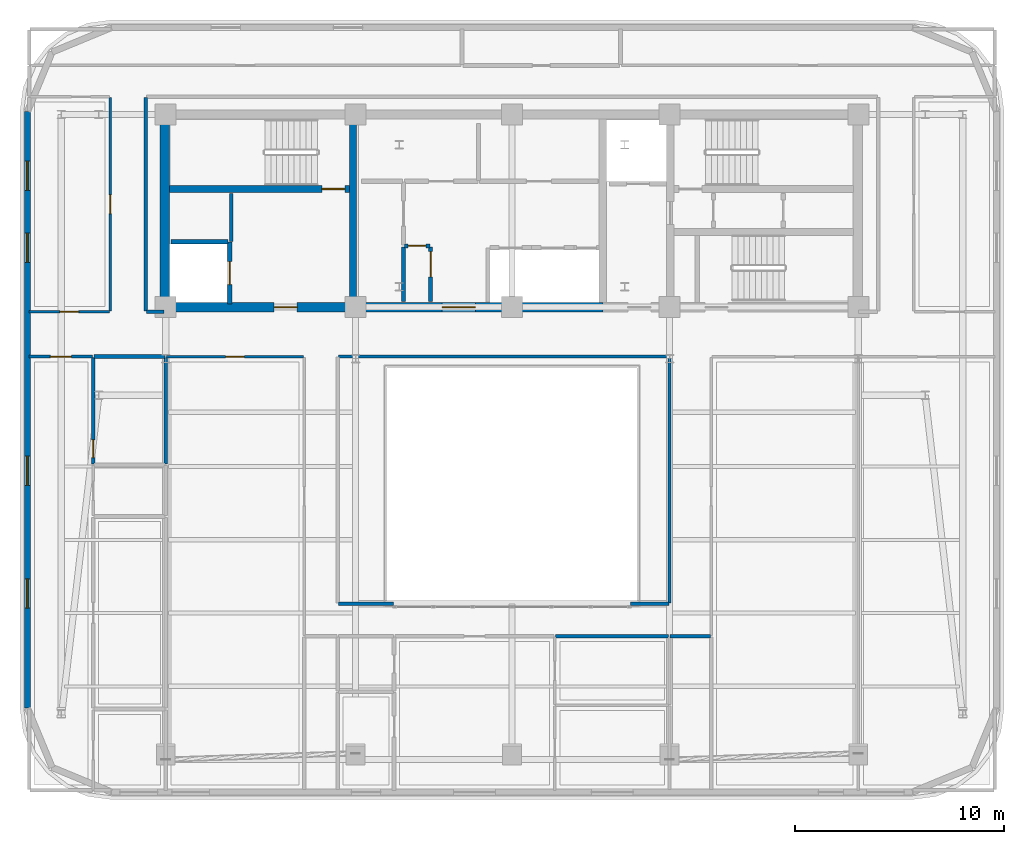
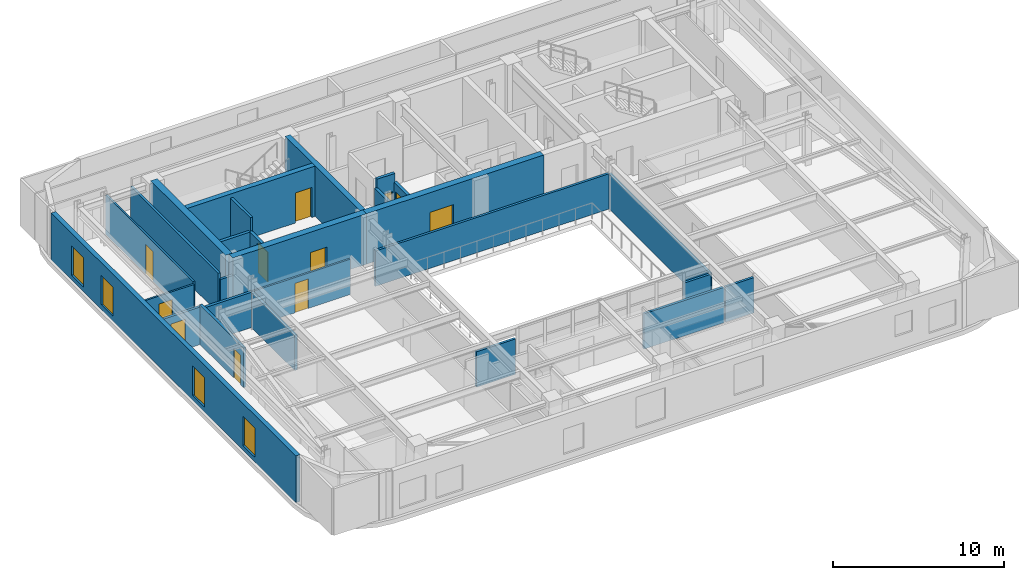
# One storey, part 7 of 14: 27 walls, 11 doors, 4 windows, 15 openings.
"""IFC4 building model written with IfcOpenShell, lengths in metres."""

from ifc_helpers import new_model, si_unit, direction, frame, frame_2d, origin, place, context, subcontext, project, spatial, rectangle, extrude, material, layer, layer_set, type_object, element, fill, save


model = new_model("IFC4")

# Units and contexts
model_context = context("Model", 3, precision=1e-05, world=origin(), true_north=direction((0.0, 1.0)))
body_context = subcontext(model_context, "Body", "Model", "MODEL_VIEW")
ifc_project = project(units=[si_unit("LENGTHUNIT", "METRE"), si_unit("AREAUNIT", "SQUARE_METRE"), si_unit("VOLUMEUNIT", "CUBIC_METRE"), si_unit("PLANEANGLEUNIT", "RADIAN"), si_unit("MASSUNIT", "GRAM", prefix="KILO")], contexts=[model_context])

# Site, building, storey
site_placement = place(None, origin())
site = spatial("IfcSite", under=ifc_project, at=site_placement, CompositionType="ELEMENT")
building_placement = place(site_placement, origin())
building = spatial("IfcBuilding", under=site, at=building_placement, Name="Zarnavel Station Tower", CompositionType="ELEMENT")
storey_placement = place(building_placement, frame((0.0, 0.0, 218.39990234375)))
storey = spatial("IfcBuildingStorey", under=building, at=storey_placement, Name="L59", CompositionType="ELEMENT", Elevation=218.39990234375)

# Wall
ifc_material_1 = material(Name="Concrete C50/60", Category="concrete")
ifc_layer_1 = layer(ifc_material_1, 0.35009765625)
ifc_layer_set_1 = layer_set([ifc_layer_1], Name="CW_350")
wall_type_1 = type_object("IfcWallType", Name="CW_350", PredefinedType="SHEAR", material=ifc_layer_set_1)
wall_1_placement = place(storey_placement, frame((21.179931640625, 28.044921875, 0.0), z_axis=(0.0, 0.0, 1.0), x_axis=(0.0, 1.0, 0.0)))
element("IfcWall", 1, at=wall_1_placement, inside=storey, type_object=wall_type_1, Name="L59 Rear Core Shear Wall DIV-W", PredefinedType="SHEAR", context=body_context, shape_type="SweptSolid", body=[
    extrude(rectangle(XDim=8.780029296875, YDim=0.35009765625, at=frame_2d((4.39013671875, 0.0))), origin(), (0.0, 0.0, 1.0), 3.60009765625),
])

# Wall, opening, door
wall_2_placement = place(storey_placement, frame((21.0048828125, 33.47998046875, 0.0), z_axis=(0.0, 0.0, 1.0), x_axis=(-1.0, 0.0, 0.0)))
wall_2 = element("IfcWall", 2, at=wall_2_placement, inside=storey, type_object=wall_type_1, Name="L59 Rear Core Shear Wall DIV-H1", PredefinedType="SHEAR", context=body_context, shape_type="SweptSolid", body=[
    extrude(rectangle(XDim=8.6298828125, YDim=0.35009765625, at=frame_2d((4.31494140625, 0.0))), origin(), (0.0, 0.0, 1.0), 3.60009765625),
])
opening_1_placement = place(wall_2_placement, frame((0.219970703125, 0.0, 0.0)))
opening_1 = element("IfcOpeningElement", 3, at=opening_1_placement, cuts=wall_2, Name="Opening FD01", PredefinedType="OPENING", context=body_context, shape_type="SweptSolid", body=[
    extrude(rectangle(XDim=1.10009765625, YDim=2.14990234375, at=frame_2d((0.550048828125, 1.074951171875))), frame((0.0, 0.18505859375, 0.0), z_axis=(0.0, -1.0, 0.0), x_axis=(1.0, 0.0, 0.0)), (0.0, 0.0, 1.0), 0.3701171875),
])
ifc_material_2 = material(Name="Painted Galvanised Steel and Hardwood Leaf", Category="steel")
door_type_1 = type_object("IfcDoorType", Name="ID_STAIR_1100", OperationType="NOTDEFINED", PredefinedType="DOOR", material=ifc_material_2)
door_1_placement = place(opening_1_placement, origin())
door_1 = element("IfcDoor", 4, at=door_1_placement, inside=storey, type_object=door_type_1, Name="L59 Stair ST1 Lobby Fire Door", OperationType="SINGLE_SWING_LEFT", OverallHeight=2.14990234375, OverallWidth=1.10009765625, PredefinedType="DOOR", context=body_context, shape_type="SweptSolid", body=[
    extrude(rectangle(XDim=1.10009765625, YDim=2.14990234375, at=frame_2d((0.550048828125, 1.074951171875))), frame((0.0, 0.02490234375, 0.0), z_axis=(0.0, -1.0, 0.0), x_axis=(1.0, 0.0, 0.0)), (0.0, 0.0, 1.0), 0.050048828125),
])
fill(opening_1, door_1)

ifc_material_3 = material(Name="Concrete C50/60", Category="concrete")
ifc_layer_2 = layer(ifc_material_3, 0.449951171875)
ifc_layer_set_2 = layer_set([ifc_layer_2], Name="CW_450")
wall_type_2 = type_object("IfcWallType", Name="CW_450", PredefinedType="SHEAR", material=ifc_layer_set_2)
wall_3_placement = place(storey_placement, frame((21.179931640625, 27.820068359375, 0.0), z_axis=(0.0, 0.0, 1.0), x_axis=(-1.0, 0.0, 0.0)))
wall_3 = element("IfcWall", 5, at=wall_3_placement, inside=storey, type_object=wall_type_2, Name="L59 Rear Core Shear Wall S-W", PredefinedType="SHEAR", context=body_context, shape_type="SweptSolid", body=[
    extrude(rectangle(XDim=9.030029296875, YDim=0.449951171875, at=frame_2d((4.51513671875, 0.0))), origin(), (0.0, 0.0, 1.0), 3.60009765625),
])
opening_2_placement = place(wall_3_placement, frame((2.679931640625, 0.0, 0.0)))
opening_2 = element("IfcOpeningElement", 6, at=opening_2_placement, cuts=wall_3, Name="Opening FD01", PredefinedType="OPENING", context=body_context, shape_type="SweptSolid", body=[
    extrude(rectangle(XDim=1.10009765625, YDim=2.14990234375, at=frame_2d((0.550048828125, 1.074951171875))), frame((0.0, 0.23486328125, 0.0), z_axis=(0.0, -1.0, 0.0), x_axis=(1.0, 0.0, 0.0)), (0.0, 0.0, 1.0), 0.469970703125),
])
door_2_placement = place(opening_2_placement, origin())
door_2 = element("IfcDoor", 7, at=door_2_placement, inside=storey, type_object=door_type_1, Name="L59 West Firefighting Lobby Door", OperationType="SINGLE_SWING_RIGHT", OverallHeight=2.14990234375, OverallWidth=1.10009765625, PredefinedType="DOOR", context=body_context, shape_type="SweptSolid", body=[
    extrude(rectangle(XDim=1.10009765625, YDim=2.14990234375, at=frame_2d((0.550048828125, 1.074951171875))), frame((0.0, 0.02490234375, 0.0), z_axis=(0.0, -1.0, 0.0), x_axis=(1.0, 0.0, 0.0)), (0.0, 0.0, 1.0), 0.050048828125),
])
fill(opening_2, door_2)

wall_4_placement = place(storey_placement, frame((33.14990234375, 27.820068359375, 0.0), z_axis=(0.0, 0.0, 1.0), x_axis=(-1.0, 0.0, 0.0)))
wall_4 = element("IfcWall", 8, at=wall_4_placement, inside=storey, type_object=wall_type_2, Name="L59 Rear Core Shear Wall S-M", PredefinedType="SHEAR", context=body_context, shape_type="SweptSolid", body=[
    extrude(rectangle(XDim=11.969970703125, YDim=0.449951171875, at=frame_2d((5.98486328125, 0.0))), origin(), (0.0, 0.0, 1.0), 3.60009765625),
])
opening_3_placement = place(wall_4_placement, frame((6.10009765625, 0.0, 0.0)))
opening_3 = element("IfcOpeningElement", 9, at=opening_3_placement, cuts=wall_4, Name="Opening ID03", PredefinedType="OPENING", context=body_context, shape_type="SweptSolid", body=[
    extrude(rectangle(XDim=1.60009765625, YDim=2.199951171875, at=frame_2d((0.800048828125, 1.10009765625))), frame((0.0, 0.23486328125, 0.0), z_axis=(0.0, -1.0, 0.0), x_axis=(1.0, 0.0, 0.0)), (0.0, 0.0, 1.0), 0.469970703125),
])
ifc_material_4 = material(Name="Painted Galvanised Steel and Hardwood Leaf", Category="steel")
door_type_2 = type_object("IfcDoorType", Name="ID_PUBLIC_1600", OperationType="DOUBLE_DOOR_SINGLE_SWING", PredefinedType="DOOR", material=ifc_material_4)
door_3_placement = place(opening_3_placement, origin())
door_3 = element("IfcDoor", 10, at=door_3_placement, inside=storey, type_object=door_type_2, Name="L59 Passenger Lift Lobby Double Door", OperationType="SINGLE_SWING_LEFT", OverallHeight=2.199951171875, OverallWidth=1.60009765625, PredefinedType="DOOR", context=body_context, shape_type="SweptSolid", body=[
    extrude(rectangle(XDim=1.60009765625, YDim=2.199951171875, at=frame_2d((0.800048828125, 1.10009765625))), frame((0.0, 0.02490234375, 0.0), z_axis=(0.0, -1.0, 0.0), x_axis=(1.0, 0.0, 0.0)), (0.0, 0.0, 1.0), 0.050048828125),
])
fill(opening_3, door_3)

# Wall
wall_5_placement = place(storey_placement, frame((12.14990234375, 28.044921875, 0.0), z_axis=(0.0, 0.0, 1.0), x_axis=(0.0, 1.0, 0.0)))
element("IfcWall", 11, at=wall_5_placement, inside=storey, type_object=wall_type_2, Name="L59 Rear Core Shear Wall W", PredefinedType="SHEAR", context=body_context, shape_type="SweptSolid", body=[
    extrude(rectangle(XDim=8.780029296875, YDim=0.449951171875, at=frame_2d((4.39013671875, 0.0))), origin(), (0.0, 0.0, 1.0), 3.60009765625),
])

# Wall, openings, windows
ifc_material_5 = material(Name="Precast concrete C45/55 (Dark Basalt Finish)", Category="masonry")
ifc_layer_3 = layer(ifc_material_5, 0.300048828125)
ifc_layer_set_3 = layer_set([ifc_layer_3], Name="EW_BASALT_300")
wall_type_3 = type_object("IfcWallType", Name="EW_BASALT_300", PredefinedType="SOLIDWALL", material=ifc_layer_set_3)
wall_6_placement = place(storey_placement, frame((5.580078125, 8.60009765625, 0.0), z_axis=(0.0, 0.0, 1.0), x_axis=(0.0, 1.0, 0.0)))
wall_6 = element("IfcWall", 12, at=wall_6_placement, inside=storey, type_object=wall_type_3, Name="L59 Exterior Basalt Masonry Frame Wall 09", PredefinedType="SOLIDWALL", context=body_context, shape_type="SweptSolid", body=[
    extrude(rectangle(XDim=28.599853515625, YDim=0.300048828125, at=frame_2d((14.2998046875, 0.0))), origin(), (0.0, 0.0, 1.0), 3.340087890625),
])
opening_4_placement = place(wall_6_placement, frame((21.360107421875, 0.0, 0.340087890625)))
opening_4 = element("IfcOpeningElement", 13, at=opening_4_placement, cuts=wall_6, Name="Opening WN04", PredefinedType="OPENING", context=body_context, shape_type="SweptSolid", body=[
    extrude(rectangle(XDim=1.39990234375, YDim=2.10009765625, at=frame_2d((0.699951171875, 1.050048828125))), frame((0.0, 0.159912109375, 0.0), z_axis=(0.0, -1.0, 0.0), x_axis=(1.0, 0.0, 0.0)), (0.0, 0.0, 1.0), 0.320068359375),
])
opening_5_placement = place(wall_6_placement, frame((24.820068359375, 0.0, 0.340087890625)))
opening_5 = element("IfcOpeningElement", 14, at=opening_5_placement, cuts=wall_6, Name="Opening WN04", PredefinedType="OPENING", context=body_context, shape_type="SweptSolid", body=[
    extrude(rectangle(XDim=1.39990234375, YDim=2.10009765625, at=frame_2d((0.699951171875, 1.050048828125))), frame((0.0, 0.159912109375, 0.0), z_axis=(0.0, -1.0, 0.0), x_axis=(1.0, 0.0, 0.0)), (0.0, 0.0, 1.0), 0.320068359375),
])
opening_6_placement = place(wall_6_placement, frame((4.796630859375, 0.0, 0.340087890625)))
opening_6 = element("IfcOpeningElement", 15, at=opening_6_placement, cuts=wall_6, Name="Opening WN04", PredefinedType="OPENING", context=body_context, shape_type="SweptSolid", body=[
    extrude(rectangle(XDim=1.39990234375, YDim=2.10009765625, at=frame_2d((0.699951171875, 1.050048828125))), frame((0.0, 0.159912109375, 0.0), z_axis=(0.0, -1.0, 0.0), x_axis=(1.0, 0.0, 0.0)), (0.0, 0.0, 1.0), 0.320068359375),
])
opening_7_placement = place(wall_6_placement, frame((10.67333984375, 0.0, 0.340087890625)))
opening_7 = element("IfcOpeningElement", 16, at=opening_7_placement, cuts=wall_6, Name="Opening WN04", PredefinedType="OPENING", context=body_context, shape_type="SweptSolid", body=[
    extrude(rectangle(XDim=1.39990234375, YDim=2.10009765625, at=frame_2d((0.699951171875, 1.050048828125))), frame((0.0, 0.159912109375, 0.0), z_axis=(0.0, -1.0, 0.0), x_axis=(1.0, 0.0, 0.0)), (0.0, 0.0, 1.0), 0.320068359375),
])
ifc_material_6 = material(Name="Thermally Broken Black Aluminium and Low-E Dark Glass", Category="aluminium")
window_type = type_object("IfcWindowType", Name="WN_1400x2100", PartitioningType="DOUBLE_PANEL_VERTICAL", PredefinedType="WINDOW", material=ifc_material_6)
window_1_placement = place(opening_4_placement, origin())
window_1 = element("IfcWindow", 17, at=window_1_placement, inside=storey, type_object=window_type, Name="L59 Recessed Facade Window 01", OverallHeight=2.10009765625, OverallWidth=1.39990234375, PartitioningType="SINGLE_PANEL", PredefinedType="WINDOW", context=body_context, shape_type="SweptSolid", body=[
    extrude(rectangle(XDim=1.39990234375, YDim=2.10009765625, at=frame_2d((0.699951171875, 1.050048828125))), frame((0.0, 0.030029296875, 0.0), z_axis=(0.0, -1.0, 0.0), x_axis=(1.0, 0.0, 0.0)), (0.0, 0.0, 1.0), 0.06005859375),
])
fill(opening_4, window_1)
window_2_placement = place(opening_5_placement, origin())
window_2 = element("IfcWindow", 18, at=window_2_placement, inside=storey, type_object=window_type, Name="L59 Recessed Facade Window 02", OverallHeight=2.10009765625, OverallWidth=1.39990234375, PartitioningType="SINGLE_PANEL", PredefinedType="WINDOW", context=body_context, shape_type="SweptSolid", body=[
    extrude(rectangle(XDim=1.39990234375, YDim=2.10009765625, at=frame_2d((0.699951171875, 1.050048828125))), frame((0.0, 0.030029296875, 0.0), z_axis=(0.0, -1.0, 0.0), x_axis=(1.0, 0.0, 0.0)), (0.0, 0.0, 1.0), 0.06005859375),
])
fill(opening_5, window_2)
window_3_placement = place(opening_6_placement, origin())
window_3 = element("IfcWindow", 19, at=window_3_placement, inside=storey, type_object=window_type, Name="L59 Recessed Facade Window 03", OverallHeight=2.10009765625, OverallWidth=1.39990234375, PartitioningType="SINGLE_PANEL", PredefinedType="WINDOW", context=body_context, shape_type="SweptSolid", body=[
    extrude(rectangle(XDim=1.39990234375, YDim=2.10009765625, at=frame_2d((0.699951171875, 1.050048828125))), frame((0.0, 0.030029296875, 0.0), z_axis=(0.0, -1.0, 0.0), x_axis=(1.0, 0.0, 0.0)), (0.0, 0.0, 1.0), 0.06005859375),
])
fill(opening_6, window_3)
window_4_placement = place(opening_7_placement, origin())
window_4 = element("IfcWindow", 20, at=window_4_placement, inside=storey, type_object=window_type, Name="L59 Recessed Facade Window 04", OverallHeight=2.10009765625, OverallWidth=1.39990234375, PartitioningType="SINGLE_PANEL", PredefinedType="WINDOW", context=body_context, shape_type="SweptSolid", body=[
    extrude(rectangle(XDim=1.39990234375, YDim=2.10009765625, at=frame_2d((0.699951171875, 1.050048828125))), frame((0.0, 0.030029296875, 0.0), z_axis=(0.0, -1.0, 0.0), x_axis=(1.0, 0.0, 0.0)), (0.0, 0.0, 1.0), 0.06005859375),
])
fill(opening_7, window_4)

# Wall, opening, door
ifc_material_7 = material(Name="Gypsum Twin-Stud Acoustic Fire Partition", Category="concrete")
ifc_layer_4 = layer(ifc_material_7, 0.159912109375)
ifc_layer_set_4 = layer_set([ifc_layer_4], Name="PT_DEMISE_160")
wall_type_4 = type_object("IfcWallType", Name="PT_DEMISE_160", PredefinedType="PARTITIONING", material=ifc_layer_set_4)
wall_7_placement = place(storey_placement, frame((5.659912109375, 25.449951171875, 0.0), z_axis=(0.0, 0.0, 1.0), x_axis=(1.0, 0.0, 0.0)))
wall_7 = element("IfcWall", 21, at=wall_7_placement, inside=storey, type_object=wall_type_4, Name="L59 Partition COR-S-UW1LV", PredefinedType="PARTITIONING", context=body_context, shape_type="SweptSolid", body=[
    extrude(rectangle(XDim=3.0341796875, YDim=0.159912109375, at=frame_2d((1.51708984375, 0.0))), origin(), (0.0, 0.0, 1.0), 2.670166015625),
])
opening_8_placement = place(wall_7_placement, frame((1.01708984375, 0.0, 0.0)))
opening_8 = element("IfcOpeningElement", 22, at=opening_8_placement, cuts=wall_7, Name="Opening FD02", PredefinedType="OPENING", context=body_context, shape_type="SweptSolid", body=[
    extrude(rectangle(XDim=1.0, YDim=2.14990234375, at=frame_2d((0.5, 1.074951171875))), frame((0.0, 0.08984375, 0.0), z_axis=(0.0, -1.0, 0.0), x_axis=(1.0, 0.0, 0.0)), (0.0, 0.0, 1.0), 0.179931640625),
])
ifc_material_8 = material(Name="Painted Galvanised Steel and Hardwood Leaf", Category="steel")
door_type_3 = type_object("IfcDoorType", Name="ID_ENTRY_1000", OperationType="NOTDEFINED", PredefinedType="DOOR", material=ifc_material_8)
door_4_placement = place(opening_8_placement, origin())
door_4 = element("IfcDoor", 23, at=door_4_placement, inside=storey, type_object=door_type_3, Name="L59 Door COR-S-UW1LV", OperationType="SINGLE_SWING_RIGHT", OverallHeight=2.14990234375, OverallWidth=1.0, PredefinedType="DOOR", context=body_context, shape_type="SweptSolid", body=[
    extrude(rectangle(XDim=1.0, YDim=2.14990234375, at=frame_2d((0.5, 1.074951171875))), frame((0.0, 0.02490234375, 0.0), z_axis=(0.0, -1.0, 0.0), x_axis=(1.0, 0.0, 0.0)), (0.0, 0.0, 1.0), 0.050048828125),
])
fill(opening_8, door_4)

# Walls
wall_8_placement = place(storey_placement, frame((30.889892578125, 12.050048828125, 0.0), z_axis=(0.0, 0.0, 1.0), x_axis=(1.0, 0.0, 0.0)))
element("IfcWall", 24, at=wall_8_placement, inside=storey, type_object=wall_type_4, Name="L59 Partition COR-AS-US1B2", PredefinedType="PARTITIONING", context=body_context, shape_type="SweptSolid", body=[
    extrude(rectangle(XDim=5.420166015625, YDim=0.159912109375, at=frame_2d((2.7099609375, 0.0))), origin(), (0.0, 0.0, 1.0), 2.52001953125),
])
wall_9_placement = place(storey_placement, frame((15.35009765625, 30.9599609375, 0.0), z_axis=(0.0, 0.0, 1.0), x_axis=(0.0, 1.0, 0.0)))
element("IfcWall", 25, at=wall_9_placement, inside=storey, type_object=wall_type_4, Name="L59 Enclosure Wall FFL1", PredefinedType="PARTITIONING", context=body_context, shape_type="SweptSolid", body=[
    extrude(rectangle(XDim=2.31005859375, YDim=0.159912109375, at=frame_2d((1.155029296875, 0.0))), origin(), (0.0, 0.0, 1.0), 3.340087890625),
])
wall_10_placement = place(storey_placement, frame((20.47998046875, 25.449951171875, 0.0), z_axis=(0.0, 0.0, 1.0), x_axis=(1.0, 0.0, 0.0)))
element("IfcWall", 26, at=wall_10_placement, inside=storey, type_object=wall_type_4, Name="L59 Enclosure Wall COR-S", PredefinedType="PARTITIONING", context=body_context, shape_type="SweptSolid", body=[
    extrude(rectangle(XDim=15.840087890625, YDim=0.159912109375, at=frame_2d((7.919921875, 0.0))), origin(), (0.0, 0.0, 1.0), 2.52001953125),
])
wall_11_placement = place(storey_placement, frame((11.280029296875, 27.60009765625, 0.0), z_axis=(0.0, 0.0, 1.0), x_axis=(1.0, 0.0, 0.0)))
element("IfcWall", 27, at=wall_11_placement, inside=storey, type_object=wall_type_4, Name="L59 Enclosure Wall COR-S", PredefinedType="PARTITIONING", context=body_context, shape_type="SweptSolid", body=[
    extrude(rectangle(XDim=0.840087890625, YDim=0.159912109375, at=frame_2d((0.419921875, 0.0))), origin(), (0.0, 0.0, 1.0), 2.41015625),
])
wall_12_placement = place(storey_placement, frame((36.3798828125, 12.050048828125, 0.0), z_axis=(0.0, 0.0, 1.0), x_axis=(1.0, 0.0, 0.0)))
element("IfcWall", 28, at=wall_12_placement, inside=storey, type_object=wall_type_4, Name="L59 Enclosure Wall COR-AE", PredefinedType="PARTITIONING", context=body_context, shape_type="SweptSolid", body=[
    extrude(rectangle(XDim=1.940185546875, YDim=0.159912109375, at=frame_2d((0.97021484375, 0.0))), origin(), (0.0, 0.0, 1.0), 2.52001953125),
])
wall_13_placement = place(storey_placement, frame((36.35009765625, 13.6298828125, 0.0), z_axis=(0.0, 0.0, 1.0), x_axis=(0.0, 1.0, 0.0)))
element("IfcWall", 29, at=wall_13_placement, inside=storey, type_object=wall_type_4, Name="L59 Enclosure Wall COR-AE", PredefinedType="PARTITIONING", context=body_context, shape_type="SweptSolid", body=[
    extrude(rectangle(XDim=11.7900390625, YDim=0.159912109375, at=frame_2d((5.89501953125, 0.0))), origin(), (0.0, 0.0, 1.0), 2.52001953125),
])
wall_14_placement = place(storey_placement, frame((20.47998046875, 13.60009765625, 0.0), z_axis=(0.0, 0.0, 1.0), x_axis=(1.0, 0.0, 0.0)))
element("IfcWall", 30, at=wall_14_placement, inside=storey, type_object=wall_type_4, Name="L59 Enclosure Wall COR-AS", PredefinedType="PARTITIONING", context=body_context, shape_type="SweptSolid", body=[
    extrude(rectangle(XDim=2.64013671875, YDim=0.159912109375, at=frame_2d((1.320068359375, 0.0))), origin(), (0.0, 0.0, 1.0), 2.52001953125),
])
wall_15_placement = place(storey_placement, frame((34.47998046875, 13.60009765625, 0.0), z_axis=(0.0, 0.0, 1.0), x_axis=(1.0, 0.0, 0.0)))
element("IfcWall", 31, at=wall_15_placement, inside=storey, type_object=wall_type_4, Name="L59 Enclosure Wall COR-AS", PredefinedType="PARTITIONING", context=body_context, shape_type="SweptSolid", body=[
    extrude(rectangle(XDim=1.840087890625, YDim=0.159912109375, at=frame_2d((0.919921875, 0.0))), origin(), (0.0, 0.0, 1.0), 2.52001953125),
])
wall_16_placement = place(storey_placement, frame((11.25, 27.6298828125, 0.0), z_axis=(0.0, 0.0, 1.0), x_axis=(0.0, 1.0, 0.0)))
element("IfcWall", 32, at=wall_16_placement, inside=storey, type_object=wall_type_4, Name="L59 Enclosure Wall COR-W", PredefinedType="PARTITIONING", context=body_context, shape_type="SweptSolid", body=[
    extrude(rectangle(XDim=10.240234375, YDim=0.159912109375, at=frame_2d((5.1201171875, 0.0))), origin(), (0.0, 0.0, 1.0), 2.820068359375),
])

# Wall, opening, door
ifc_material_9 = material(Name="Gypsum Metal-Stud Interior Partition", Category="concrete")
ifc_layer_5 = layer(ifc_material_9, 0.1201171875)
ifc_layer_set_5 = layer_set([ifc_layer_5], Name="PT_ROOM_120")
wall_type_5 = type_object("IfcWallType", Name="PT_ROOM_120", PredefinedType="PARTITIONING", material=ifc_layer_set_5)
wall_17_placement = place(storey_placement, frame((5.659912109375, 27.60009765625, 0.0), z_axis=(0.0, 0.0, 1.0), x_axis=(1.0, 0.0, 0.0)))
wall_17 = element("IfcWall", 33, at=wall_17_placement, inside=storey, type_object=wall_type_5, Name="L59 Partition COR-S-FNW", PredefinedType="PARTITIONING", context=body_context, shape_type="SweptSolid", body=[
    extrude(rectangle(XDim=3.85009765625, YDim=0.1201171875, at=frame_2d((1.925048828125, 0.0))), origin(), (0.0, 0.0, 1.0), 2.670166015625),
])
opening_9_placement = place(wall_17_placement, frame((1.47509765625, 0.0, 0.0)))
opening_9 = element("IfcOpeningElement", 34, at=opening_9_placement, cuts=wall_17, Name="Opening ID01", PredefinedType="OPENING", context=body_context, shape_type="SweptSolid", body=[
    extrude(rectangle(XDim=0.89990234375, YDim=2.10009765625, at=frame_2d((0.449951171875, 1.050048828125))), frame((0.0, 0.070068359375, 0.0), z_axis=(0.0, -1.0, 0.0), x_axis=(1.0, 0.0, 0.0)), (0.0, 0.0, 1.0), 0.14013671875),
])
ifc_material_10 = material(Name="Painted Galvanised Steel and Hardwood Leaf", Category="steel")
door_type_4 = type_object("IfcDoorType", Name="ID_ROOM_900", OperationType="NOTDEFINED", PredefinedType="DOOR", material=ifc_material_10)
door_5_placement = place(opening_9_placement, origin())
door_5 = element("IfcDoor", 35, at=door_5_placement, inside=storey, type_object=door_type_4, Name="L59 Door COR-S-FNW", OperationType="SINGLE_SWING_RIGHT", OverallHeight=2.10009765625, OverallWidth=0.89990234375, PredefinedType="DOOR", context=body_context, shape_type="SweptSolid", body=[
    extrude(rectangle(XDim=0.89990234375, YDim=2.10009765625, at=frame_2d((0.449951171875, 1.050048828125))), frame((0.0, 0.02490234375, 0.0), z_axis=(0.0, -1.0, 0.0), x_axis=(1.0, 0.0, 0.0)), (0.0, 0.0, 1.0), 0.050048828125),
])
fill(opening_9, door_5)

wall_18_placement = place(storey_placement, frame((12.239990234375, 25.449951171875, 0.0), z_axis=(0.0, 0.0, 1.0), x_axis=(1.0, 0.0, 0.0)))
wall_18 = element("IfcWall", 36, at=wall_18_placement, inside=storey, type_object=wall_type_5, Name="L59 Partition COR-S-L59LIB", PredefinedType="PARTITIONING", context=body_context, shape_type="SweptSolid", body=[
    extrude(rectangle(XDim=6.570068359375, YDim=0.1201171875, at=frame_2d((3.28515625, 0.0))), origin(), (0.0, 0.0, 1.0), 2.52001953125),
])
opening_10_placement = place(wall_18_placement, frame((2.8349609375, 0.0, 0.0)))
opening_10 = element("IfcOpeningElement", 37, at=opening_10_placement, cuts=wall_18, Name="Opening ID01", PredefinedType="OPENING", context=body_context, shape_type="SweptSolid", body=[
    extrude(rectangle(XDim=0.89990234375, YDim=2.10009765625, at=frame_2d((0.449951171875, 1.050048828125))), frame((0.0, 0.070068359375, 0.0), z_axis=(0.0, -1.0, 0.0), x_axis=(1.0, 0.0, 0.0)), (0.0, 0.0, 1.0), 0.14013671875),
])
door_6_placement = place(opening_10_placement, origin())
door_6 = element("IfcDoor", 38, at=door_6_placement, inside=storey, type_object=door_type_4, Name="L59 Door COR-S-L59LIB", OperationType="SINGLE_SWING_LEFT", OverallHeight=2.10009765625, OverallWidth=0.89990234375, PredefinedType="DOOR", context=body_context, shape_type="SweptSolid", body=[
    extrude(rectangle(XDim=0.89990234375, YDim=2.10009765625, at=frame_2d((0.449951171875, 1.050048828125))), frame((0.0, 0.02490234375, 0.0), z_axis=(0.0, -1.0, 0.0), x_axis=(1.0, 0.0, 0.0)), (0.0, 0.0, 1.0), 0.050048828125),
])
fill(opening_10, door_6)

wall_19_placement = place(storey_placement, frame((9.550048828125, 27.639892578125, 0.0), z_axis=(0.0, 0.0, 1.0), x_axis=(0.0, 1.0, 0.0)))
wall_19 = element("IfcWall", 39, at=wall_19_placement, inside=storey, type_object=wall_type_5, Name="L59 Partition COR-W-FNW", PredefinedType="PARTITIONING", context=body_context, shape_type="SweptSolid", body=[
    extrude(rectangle(XDim=10.22021484375, YDim=0.1201171875, at=frame_2d((5.110107421875, 0.0))), origin(), (0.0, 0.0, 1.0), 2.820068359375),
])
opening_11_placement = place(wall_19_placement, frame((4.659912109375, 0.0, 0.0)))
opening_11 = element("IfcOpeningElement", 40, at=opening_11_placement, cuts=wall_19, Name="Opening ID01", PredefinedType="OPENING", context=body_context, shape_type="SweptSolid", body=[
    extrude(rectangle(XDim=0.89990234375, YDim=2.10009765625, at=frame_2d((0.449951171875, 1.050048828125))), frame((0.0, 0.070068359375, 0.0), z_axis=(0.0, -1.0, 0.0), x_axis=(1.0, 0.0, 0.0)), (0.0, 0.0, 1.0), 0.14013671875),
])
door_7_placement = place(opening_11_placement, origin())
door_7 = element("IfcDoor", 41, at=door_7_placement, inside=storey, type_object=door_type_4, Name="L59 Door COR-W-FNW", OperationType="SINGLE_SWING_LEFT", OverallHeight=2.10009765625, OverallWidth=0.89990234375, PredefinedType="DOOR", context=body_context, shape_type="SweptSolid", body=[
    extrude(rectangle(XDim=0.89990234375, YDim=2.10009765625, at=frame_2d((0.449951171875, 1.050048828125))), frame((0.0, 0.02490234375, 0.0), z_axis=(0.0, -1.0, 0.0), x_axis=(1.0, 0.0, 0.0)), (0.0, 0.0, 1.0), 0.050048828125),
])
fill(opening_11, door_7)

ifc_material_11 = material(Name="Precast concrete C45/55 (Fire Shaft Blockwork)", Category="masonry")
ifc_layer_6 = layer(ifc_material_11, 0.199951171875)
ifc_layer_set_6 = layer_set([ifc_layer_6], Name="PT_SHAFT_200")
wall_type_6 = type_object("IfcWallType", Name="PT_SHAFT_200", PredefinedType="PARTITIONING", material=ifc_layer_set_6)
wall_20_placement = place(storey_placement, frame((15.27001953125, 27.969970703125, 0.0), z_axis=(0.0, 0.0, 1.0), x_axis=(0.0, 1.0, 0.0)))
wall_20 = element("IfcWall", 42, at=wall_20_placement, inside=storey, type_object=wall_type_6, Name="L59 Lift FFL-01 Shaft Front Wall", PredefinedType="PARTITIONING", context=body_context, shape_type="SweptSolid", body=[
    extrude(rectangle(XDim=2.9599609375, YDim=0.199951171875, at=frame_2d((1.47998046875, 0.0))), origin(), (0.0, 0.0, 1.0), 2.41015625),
])
opening_12_placement = place(wall_20_placement, frame((0.929931640625, 0.0, 0.0)))
opening_12 = element("IfcOpeningElement", 43, at=opening_12_placement, cuts=wall_20, Name="Opening LD01", PredefinedType="OPENING", context=body_context, shape_type="SweptSolid", body=[
    extrude(rectangle(XDim=1.10009765625, YDim=2.14990234375, at=frame_2d((0.550048828125, 1.074951171875))), frame((0.0, 0.10986328125, 0.0), z_axis=(0.0, -1.0, 0.0), x_axis=(1.0, 0.0, 0.0)), (0.0, 0.0, 1.0), 0.219970703125),
])
ifc_material_12 = material(Name="Painted Galvanised Steel and Hardwood Leaf", Category="steel")
door_type_5 = type_object("IfcDoorType", Name="LD_FF_1100", OperationType="DOUBLE_DOOR_SLIDING", PredefinedType="DOOR", material=ifc_material_12)
door_8_placement = place(opening_12_placement, origin())
door_8 = element("IfcDoor", 44, at=door_8_placement, inside=storey, type_object=door_type_5, Name="L59 Lift FFL-01 Sliding Landing Door", OperationType="DOUBLE_DOOR_SLIDING", OverallHeight=2.14990234375, OverallWidth=1.10009765625, PredefinedType="DOOR", context=body_context, shape_type="SweptSolid", body=[
    extrude(rectangle(XDim=1.10009765625, YDim=2.14990234375, at=frame_2d((0.550048828125, 1.074951171875))), frame((0.0, 0.02490234375, 0.0), z_axis=(0.0, -1.0, 0.0), x_axis=(1.0, 0.0, 0.0)), (0.0, 0.0, 1.0), 0.050048828125),
])
fill(opening_12, door_8)

# Wall
wall_21_placement = place(storey_placement, frame((12.449951171875, 30.949951171875, 0.0), z_axis=(0.0, 0.0, 1.0), x_axis=(1.0, 0.0, 0.0)))
element("IfcWall", 45, at=wall_21_placement, inside=storey, type_object=wall_type_6, Name="L59 Lift FFL-01 North Shaft Wall", PredefinedType="PARTITIONING", context=body_context, shape_type="SweptSolid", body=[
    extrude(rectangle(XDim=2.75, YDim=0.199951171875, at=frame_2d((1.375, 0.0))), origin(), (0.0, 0.0, 1.0), 2.41015625),
])

# Wall, opening, door
wall_22_placement = place(storey_placement, frame((23.639892578125, 30.75, 0.0), z_axis=(0.0, 0.0, 1.0), x_axis=(1.0, 0.0, 0.0)))
wall_22 = element("IfcWall", 46, at=wall_22_placement, inside=storey, type_object=wall_type_6, Name="L59 Partition LLOB-CS2", PredefinedType="PARTITIONING", context=body_context, shape_type="SweptSolid", body=[
    extrude(rectangle(XDim=1.22021484375, YDim=0.199951171875, at=frame_2d((0.610107421875, 0.0))), origin(), (0.0, 0.0, 1.0), 3.340087890625),
])
opening_13_placement = place(wall_22_placement, frame((0.18505859375, 0.0, 0.0)))
opening_13 = element("IfcOpeningElement", 47, at=opening_13_placement, cuts=wall_22, Name="Opening ID02", PredefinedType="OPENING", context=body_context, shape_type="SweptSolid", body=[
    extrude(rectangle(XDim=0.85009765625, YDim=2.10009765625, at=frame_2d((0.425048828125, 1.050048828125))), frame((0.0, 0.10986328125, 0.0), z_axis=(0.0, -1.0, 0.0), x_axis=(1.0, 0.0, 0.0)), (0.0, 0.0, 1.0), 0.219970703125),
])
ifc_material_13 = material(Name="Painted Galvanised Steel and Hardwood Leaf", Category="steel")
door_type_6 = type_object("IfcDoorType", Name="ID_BATH_850", OperationType="NOTDEFINED", PredefinedType="DOOR", material=ifc_material_13)
door_9_placement = place(opening_13_placement, origin())
door_9 = element("IfcDoor", 48, at=door_9_placement, inside=storey, type_object=door_type_6, Name="L59 Door LLOB-CS2", OperationType="SINGLE_SWING_RIGHT", OverallHeight=2.10009765625, OverallWidth=0.85009765625, PredefinedType="DOOR", context=body_context, shape_type="SweptSolid", body=[
    extrude(rectangle(XDim=0.85009765625, YDim=2.10009765625, at=frame_2d((0.425048828125, 1.050048828125))), frame((0.0, 0.02490234375, 0.0), z_axis=(0.0, -1.0, 0.0), x_axis=(1.0, 0.0, 0.0)), (0.0, 0.0, 1.0), 0.050048828125),
])
fill(opening_13, door_9)

wall_23_placement = place(storey_placement, frame((24.89990234375, 30.7099609375, 0.0), z_axis=(0.0, 0.0, 1.0), x_axis=(0.0, -1.0, 0.0)))
wall_23 = element("IfcWall", 49, at=wall_23_placement, inside=storey, type_object=wall_type_6, Name="L59 Partition LLOBS-CS2", PredefinedType="PARTITIONING", context=body_context, shape_type="SweptSolid", body=[
    extrude(rectangle(XDim=2.619873046875, YDim=0.199951171875, at=frame_2d((1.31005859375, 0.0))), origin(), (0.0, 0.0, 1.0), 2.72021484375),
])
opening_14_placement = place(wall_23_placement, frame((0.235107421875, 0.0, 0.0)))
opening_14 = element("IfcOpeningElement", 50, at=opening_14_placement, cuts=wall_23, Name="Opening FD03", PredefinedType="OPENING", context=body_context, shape_type="SweptSolid", body=[
    extrude(rectangle(XDim=1.199951171875, YDim=2.14990234375, at=frame_2d((0.60009765625, 1.074951171875))), frame((0.0, 0.10986328125, 0.0), z_axis=(0.0, -1.0, 0.0), x_axis=(1.0, 0.0, 0.0)), (0.0, 0.0, 1.0), 0.219970703125),
])
ifc_material_14 = material(Name="Painted Galvanised Steel and Hardwood Leaf", Category="steel")
door_type_7 = type_object("IfcDoorType", Name="ID_PLANT_1200", OperationType="NOTDEFINED", PredefinedType="DOOR", material=ifc_material_14)
door_10_placement = place(opening_14_placement, origin())
door_10 = element("IfcDoor", 51, at=door_10_placement, inside=storey, type_object=door_type_7, Name="L59 Door LLOBS-CS2", OperationType="SINGLE_SWING_LEFT", OverallHeight=2.14990234375, OverallWidth=1.199951171875, PredefinedType="DOOR", context=body_context, shape_type="SweptSolid", body=[
    extrude(rectangle(XDim=1.199951171875, YDim=2.14990234375, at=frame_2d((0.60009765625, 1.074951171875))), frame((0.0, 0.02490234375, 0.0), z_axis=(0.0, -1.0, 0.0), x_axis=(1.0, 0.0, 0.0)), (0.0, 0.0, 1.0), 0.050048828125),
])
fill(opening_14, door_10)

# Walls
wall_24_placement = place(storey_placement, frame((23.60009765625, 28.090087890625, 0.0), z_axis=(0.0, 0.0, 1.0), x_axis=(0.0, 1.0, 0.0)))
element("IfcWall", 52, at=wall_24_placement, inside=storey, type_object=wall_type_6, Name="L59 Partition CS1-CS2", PredefinedType="PARTITIONING", context=body_context, shape_type="SweptSolid", body=[
    extrude(rectangle(XDim=2.619873046875, YDim=0.199951171875, at=frame_2d((1.31005859375, 0.0))), origin(), (0.0, 0.0, 1.0), 2.72021484375),
])
ifc_material_15 = material(Name="Moisture-Resistant Plumbing Chase Wall", Category="concrete")
ifc_layer_7 = layer(ifc_material_15, 0.179931640625)
ifc_layer_set_7 = layer_set([ifc_layer_7], Name="PW_PLUMB_180")
wall_type_7 = type_object("IfcWallType", Name="PW_PLUMB_180", PredefinedType="PLUMBINGWALL", material=ifc_layer_set_7)
wall_25_placement = place(storey_placement, frame((8.77392578125, 25.449951171875, 0.0), z_axis=(0.0, 0.0, 1.0), x_axis=(1.0, 0.0, 0.0)))
element("IfcWall", 53, at=wall_25_placement, inside=storey, type_object=wall_type_7, Name="L59 Partition COR-S-UW1BA", PredefinedType="PLUMBINGWALL", context=body_context, shape_type="SweptSolid", body=[
    extrude(rectangle(XDim=3.385986328125, YDim=0.179931640625, at=frame_2d((1.69287109375, 0.0))), origin(), (0.0, 0.0, 1.0), 2.52001953125),
])

# Wall, opening, door
wall_26_placement = place(storey_placement, frame((8.73388671875, 20.297119140625, 0.0), z_axis=(0.0, 0.0, 1.0), x_axis=(0.0, 1.0, 0.0)))
wall_26 = element("IfcWall", 54, at=wall_26_placement, inside=storey, type_object=wall_type_7, Name="L59 Partition UW1LV-UW1BA", PredefinedType="PLUMBINGWALL", context=body_context, shape_type="SweptSolid", body=[
    extrude(rectangle(XDim=5.11279296875, YDim=0.179931640625, at=frame_2d((2.556396484375, 0.0))), origin(), (0.0, 0.0, 1.0), 2.820068359375),
])
opening_15_placement = place(wall_26_placement, frame((0.305908203125, 0.0, 0.0)))
opening_15 = element("IfcOpeningElement", 55, at=opening_15_placement, cuts=wall_26, Name="Opening ID02", PredefinedType="OPENING", context=body_context, shape_type="SweptSolid", body=[
    extrude(rectangle(XDim=0.85009765625, YDim=2.10009765625, at=frame_2d((0.425048828125, 1.050048828125))), frame((0.0, 0.099853515625, 0.0), z_axis=(0.0, -1.0, 0.0), x_axis=(1.0, 0.0, 0.0)), (0.0, 0.0, 1.0), 0.199951171875),
])
door_11_placement = place(opening_15_placement, origin())
door_11 = element("IfcDoor", 56, at=door_11_placement, inside=storey, type_object=door_type_6, Name="L59 Door UW1LV-UW1BA", OperationType="SINGLE_SWING_LEFT", OverallHeight=2.10009765625, OverallWidth=0.85009765625, PredefinedType="DOOR", context=body_context, shape_type="SweptSolid", body=[
    extrude(rectangle(XDim=0.85009765625, YDim=2.10009765625, at=frame_2d((0.425048828125, 1.050048828125))), frame((0.0, 0.02490234375, 0.0), z_axis=(0.0, -1.0, 0.0), x_axis=(1.0, 0.0, 0.0)), (0.0, 0.0, 1.0), 0.050048828125),
])
fill(opening_15, door_11)

# Wall
wall_27_placement = place(storey_placement, frame((12.199951171875, 20.297119140625, 0.0), z_axis=(0.0, 0.0, 1.0), x_axis=(0.0, 1.0, 0.0)))
element("IfcWall", 57, at=wall_27_placement, inside=storey, type_object=wall_type_7, Name="L59 Partition UW1BA-L59LIB", PredefinedType="PLUMBINGWALL", context=body_context, shape_type="SweptSolid", body=[
    extrude(rectangle(XDim=5.11279296875, YDim=0.179931640625, at=frame_2d((2.556396484375, 0.0))), origin(), (0.0, 0.0, 1.0), 2.52001953125),
])

save(model, "model.ifc")
